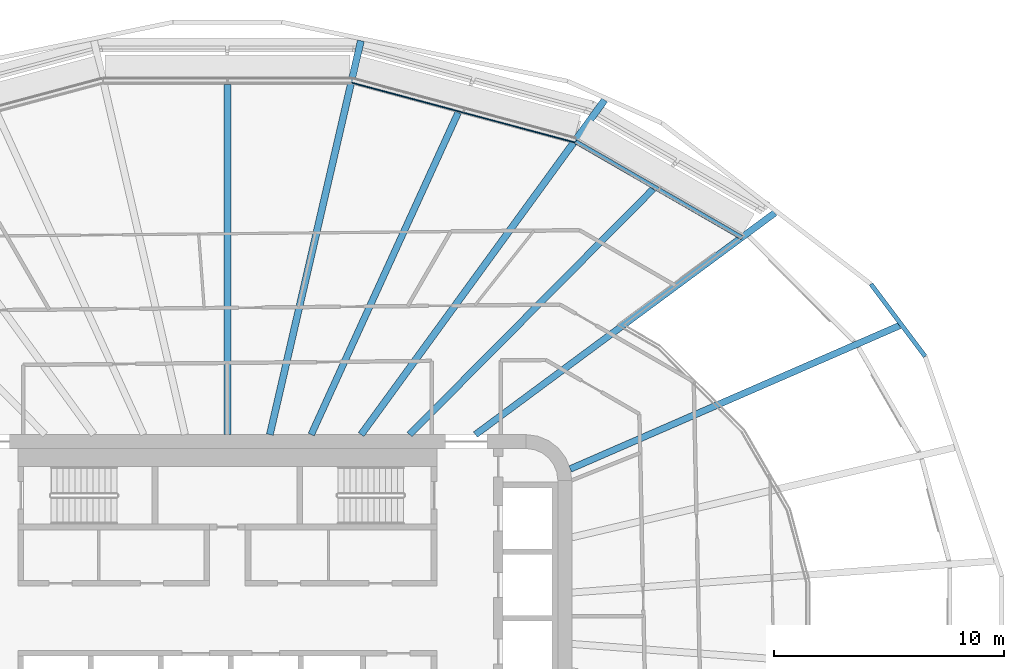
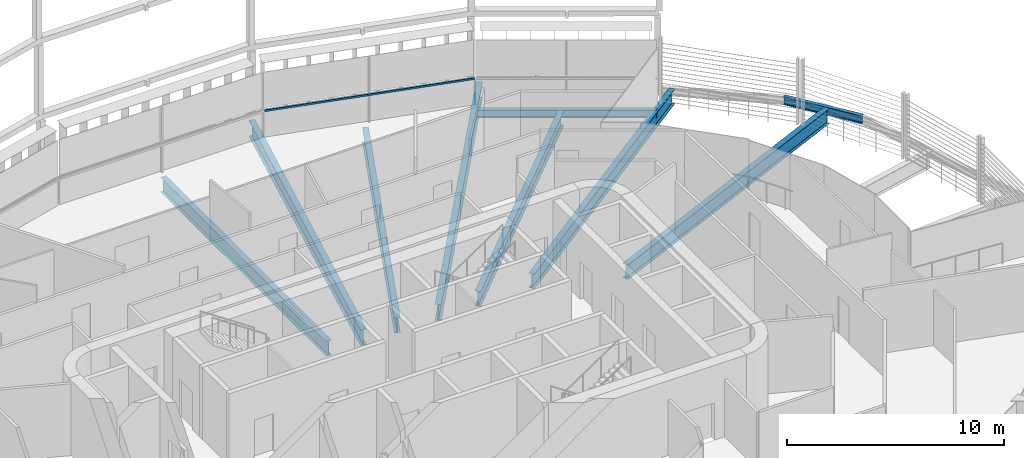
# One storey, part 9 of 28: 9 beams, 1 member, 1 element without a shape of its own.
"""IFC4 building model written with IfcOpenShell, lengths in metres."""

from ifc_helpers import new_model, si_unit, direction, frame, origin, origin_2d, place, context, subcontext, project, spatial, rectangle, i_section, extrude, material, layer, layer_set, material_profile, profile_set, type_object, element, aggregate, save


model = new_model("IFC4")

# Units and contexts
model_context = context("Model", 3, precision=1e-05, world=origin(), true_north=direction((0.0, 1.0)))
body_context = subcontext(model_context, "Body", "Model", "MODEL_VIEW")
ifc_project = project(units=[si_unit("LENGTHUNIT", "METRE"), si_unit("AREAUNIT", "SQUARE_METRE"), si_unit("VOLUMEUNIT", "CUBIC_METRE"), si_unit("PLANEANGLEUNIT", "RADIAN"), si_unit("MASSUNIT", "GRAM", prefix="KILO")], contexts=[model_context])

# Site, building, storey
site_placement = place(None, origin())
site = spatial("IfcSite", under=ifc_project, at=site_placement, CompositionType="ELEMENT")
building_placement = place(site_placement, origin())
building = spatial("IfcBuilding", under=site, at=building_placement, Name="Sahrelin Media Tower", CompositionType="ELEMENT")
storey_placement = place(building_placement, frame((0.0, 0.0, 75.60009765625)))
storey = spatial("IfcBuildingStorey", under=building, at=storey_placement, Name="L13", CompositionType="ELEMENT", Elevation=75.60009765625)

# Beams
ifc_material_1 = material(Name="Steel S355", Category="steel")
ifc_material_profile_1 = material_profile(ifc_material_1, i_section(OverallWidth=0.1904296875, OverallDepth=0.45703125, WebThickness=0.009033203125, FlangeThickness=0.014404296875, FilletRadius=0.01025390625, at=origin_2d()), Name="UB 457x191x74")
ifc_profile_set_1 = profile_set([ifc_material_profile_1], Name="Steel S355")
beam_type_1 = type_object("IfcBeamType", Name="Edge beam EB5", PredefinedType="BEAM", material=ifc_profile_set_1)
beam_1_placement = place(storey_placement, frame((15.17138671875, 20.7568359375, -0.378662109375), z_axis=(0.866015700557, -0.500016806107, 0.0), x_axis=(0.500016806107, 0.866015700557, 0.0)))
element("IfcBeam", 1, at=beam_1_placement, inside=storey, type_object=beam_type_1, Name="Edge beam L13-20", PredefinedType="BEAM", context=body_context, shape_type="SweptSolid", body=[
    extrude(i_section(OverallWidth=0.1904296875, OverallDepth=0.45703125, WebThickness=0.009033203125, FlangeThickness=0.014404296875, FilletRadius=0.01025390625, at=origin_2d()), origin(), (0.0, 0.0, 1.0), 8.376220703125),
])
ifc_material_profile_2 = material_profile(ifc_material_1, i_section(OverallWidth=0.291748046875, OverallDepth=0.8349609375, WebThickness=0.013916015625, FlangeThickness=0.018798828125, FilletRadius=0.017822265625, at=origin_2d()), Name="UB 838x292x176")
ifc_profile_set_2 = profile_set([ifc_material_profile_2], Name="Steel S355")
beam_type_2 = type_object("IfcBeamType", Name="Radial primary beam PB10", PredefinedType="BEAM", material=ifc_profile_set_2)
beam_2_placement = place(storey_placement, frame((14.93408203125, 6.50146484375, -0.567626953125), z_axis=(0.916883824537, 0.399154171095, 0.0), x_axis=(-0.399154171095, 0.916883824537, 0.0)))
element("IfcBeam", 2, at=beam_2_placement, inside=storey, type_object=beam_type_2, Name="Radial beam L13-03", PredefinedType="BEAM", context=body_context, shape_type="SweptSolid", body=[
    extrude(i_section(OverallWidth=0.291748046875, OverallDepth=0.8349609375, WebThickness=0.013916015625, FlangeThickness=0.018798828125, FilletRadius=0.017822265625, at=origin_2d()), origin(), (0.0, 0.0, 1.0), 15.6396484375),
])
beam_3_placement = place(storey_placement, frame((10.804931640625, 8.0, -0.567626953125), z_axis=(0.803688811916, 0.59504982447, 0.0), x_axis=(-0.59504982447, 0.803688811916, 0.0)))
element("IfcBeam", 3, at=beam_3_placement, inside=storey, type_object=beam_type_2, Name="Radial beam L13-04", PredefinedType="BEAM", context=body_context, shape_type="SweptSolid", body=[
    extrude(i_section(OverallWidth=0.291748046875, OverallDepth=0.8349609375, WebThickness=0.013916015625, FlangeThickness=0.018798828125, FilletRadius=0.017822265625, at=origin_2d()), origin(), (0.0, 0.0, 1.0), 16.22998046875),
])
ifc_material_profile_3 = material_profile(ifc_material_1, i_section(OverallWidth=0.30322265625, OverallDepth=0.903076171875, WebThickness=0.01513671875, FlangeThickness=0.020263671875, FilletRadius=0.01904296875, at=origin_2d()), Name="UB 914x305x201")
ifc_profile_set_3 = profile_set([ifc_material_profile_3], Name="Steel S355")
beam_type_3 = type_object("IfcBeamType", Name="Radial primary beam PB11", PredefinedType="BEAM", material=ifc_profile_set_3)
beam_4_placement = place(storey_placement, frame((5.823486328125, 8.0, -0.6015625), z_axis=(0.588521920712, 0.808481260662, 0.0), x_axis=(-0.808481260662, 0.588521920712, 0.0)))
element("IfcBeam", 4, at=beam_4_placement, inside=storey, type_object=beam_type_3, Name="Radial beam L13-05", PredefinedType="BEAM", context=body_context, shape_type="SweptSolid", body=[
    extrude(i_section(OverallWidth=0.30322265625, OverallDepth=0.903076171875, WebThickness=0.01513671875, FlangeThickness=0.020263671875, FilletRadius=0.01904296875, at=origin_2d()), origin(), (0.0, 0.0, 1.0), 18.027587890625),
])
beam_5_placement = place(storey_placement, frame((1.848876953125, 8.0, -0.6015625), z_axis=(0.22515720883, 0.9743224473, 0.0), x_axis=(-0.9743224473, 0.22515720883, 0.0)))
element("IfcBeam", 5, at=beam_5_placement, inside=storey, type_object=beam_type_3, Name="Radial beam L13-06", PredefinedType="BEAM", context=body_context, shape_type="SweptSolid", body=[
    extrude(i_section(OverallWidth=0.30322265625, OverallDepth=0.903076171875, WebThickness=0.01513671875, FlangeThickness=0.020263671875, FilletRadius=0.01904296875, at=origin_2d()), origin(), (0.0, 0.0, 1.0), 17.608154296875),
])
ifc_material_profile_4 = material_profile(ifc_material_1, i_section(OverallWidth=0.291748046875, OverallDepth=0.8349609375, WebThickness=0.013916015625, FlangeThickness=0.018798828125, FilletRadius=0.017822265625, at=origin_2d()), Name="UB 838x292x176")
ifc_profile_set_4 = profile_set([ifc_material_profile_4], Name="Steel S355")
beam_type_4 = type_object("IfcBeamType", Name="Radial secondary beam SB10", PredefinedType="BEAM", material=ifc_profile_set_4)
beam_6_placement = place(storey_placement, frame((7.935546875, 8.0, -0.567626953125), z_axis=(0.704241258755, 0.709960737976, 0.0), x_axis=(-0.709960737976, 0.704241258755, 0.0)))
element("IfcBeam", 6, at=beam_6_placement, inside=storey, type_object=beam_type_4, Name="Secondary beam L13-01", PredefinedType="BEAM", context=body_context, shape_type="SweptSolid", body=[
    extrude(i_section(OverallWidth=0.291748046875, OverallDepth=0.8349609375, WebThickness=0.013916015625, FlangeThickness=0.018798828125, FilletRadius=0.017822265625, at=origin_2d()), origin(), (0.0, 0.0, 1.0), 15.068115234375),
])
beam_7_placement = place(storey_placement, frame((3.6513671875, 8.0, -0.567626953125), z_axis=(0.415194910581, 0.909732480583, 0.0), x_axis=(-0.909732480583, 0.415194910581, 0.0)))
element("IfcBeam", 7, at=beam_7_placement, inside=storey, type_object=beam_type_4, Name="Secondary beam L13-02", PredefinedType="BEAM", context=body_context, shape_type="SweptSolid", body=[
    extrude(i_section(OverallWidth=0.291748046875, OverallDepth=0.8349609375, WebThickness=0.013916015625, FlangeThickness=0.018798828125, FilletRadius=0.017822265625, at=origin_2d()), origin(), (0.0, 0.0, 1.0), 15.416015625),
])
beam_8_placement = place(storey_placement, frame((0.0, 8.0, -0.567626953125), z_axis=(0.0, 1.0, 0.0), x_axis=(-1.0, 0.0, 0.0)))
element("IfcBeam", 8, at=beam_8_placement, inside=storey, type_object=beam_type_4, Name="Secondary beam L13-03", PredefinedType="BEAM", context=body_context, shape_type="SweptSolid", body=[
    extrude(i_section(OverallWidth=0.291748046875, OverallDepth=0.8349609375, WebThickness=0.013916015625, FlangeThickness=0.018798828125, FilletRadius=0.017822265625, at=origin_2d()), origin(), (0.0, 0.0, 1.0), 15.260498046875),
])
ifc_material_profile_5 = material_profile(ifc_material_1, i_section(OverallWidth=0.1904296875, OverallDepth=0.45703125, WebThickness=0.009033203125, FlangeThickness=0.014404296875, FilletRadius=0.01025390625, at=origin_2d()), Name="UB 457x191x74")
ifc_profile_set_5 = profile_set([ifc_material_profile_5], Name="Steel S355")
beam_type_5 = type_object("IfcBeamType", Name="Tie chord TC5", PredefinedType="BEAM", material=ifc_profile_set_5)
beam_9_placement = place(storey_placement, frame((30.3955078125, 11.40771484375, -0.378662109375), z_axis=(-0.600069455964, 0.799947903316, 0.0), x_axis=(-0.799947903316, -0.600069455964, 0.0)))
element("IfcBeam", 9, at=beam_9_placement, inside=storey, type_object=beam_type_5, Name="Tie chord L13-02", PredefinedType="BEAM", context=body_context, shape_type="SweptSolid", body=[
    extrude(i_section(OverallWidth=0.1904296875, OverallDepth=0.45703125, WebThickness=0.009033203125, FlangeThickness=0.014404296875, FilletRadius=0.01025390625, at=origin_2d()), origin(), (0.0, 0.0, 1.0), 3.936767578125),
])

# Curtain wall, member
ifc_material_2 = material(Name="Champagne anodised aluminium 6063-T6", Category="aluminium")
ifc_layer = layer(ifc_material_2, 0.14990234375)
ifc_layer_set = layer_set([ifc_layer], Name="Tower ribbon curtain wall")
curtain_wall_type = type_object("IfcCurtainWallType", Name="Tower ribbon curtain wall", PredefinedType="NOTDEFINED", material=ifc_layer_set)
curtain_wall_placement = place(storey_placement, frame((10.326416015625, 22.214111328125, 0.0), z_axis=(0.0, 0.0, 1.0), x_axis=(1.0, 0.0, 0.0)))
curtain_wall = element("IfcCurtainWall", 10, at=curtain_wall_placement, inside=storey, type_object=curtain_wall_type, Name="L13:CW:L13-05", PredefinedType="NOTDEFINED")
ifc_material_profile_6 = material_profile(ifc_material_2, rectangle(XDim=0.050048828125, YDim=0.10009765625, at=origin_2d()), Name="Transom 50x100")
ifc_profile_set_6 = profile_set([ifc_material_profile_6], Name="Champagne anodised aluminium 6063-T6")
member_type = type_object("IfcMemberType", Name="Transom 50x100 CW1", PredefinedType="USERDEFINED", material=ifc_profile_set_6)
member_placement = place(storey_placement, frame((15.117919921875, 20.728515625, 1.599853515625), z_axis=(-0.965931529301, 0.258797760233, 0.0), x_axis=(-0.258797760233, -0.965931529301, 0.0)))
member = element("IfcMember", 11, at=member_placement, type_object=member_type, Name="L13:CWT:L13-05", ObjectType="TRANSOM", PredefinedType="USERDEFINED", context=body_context, shape_type="SweptSolid", body=[
    extrude(rectangle(XDim=0.050048828125, YDim=0.10009765625, at=origin_2d()), origin(), (0.0, 0.0, 1.0), 10.025146484375),
])
aggregate(curtain_wall, [member])

save(model, "model.ifc")
